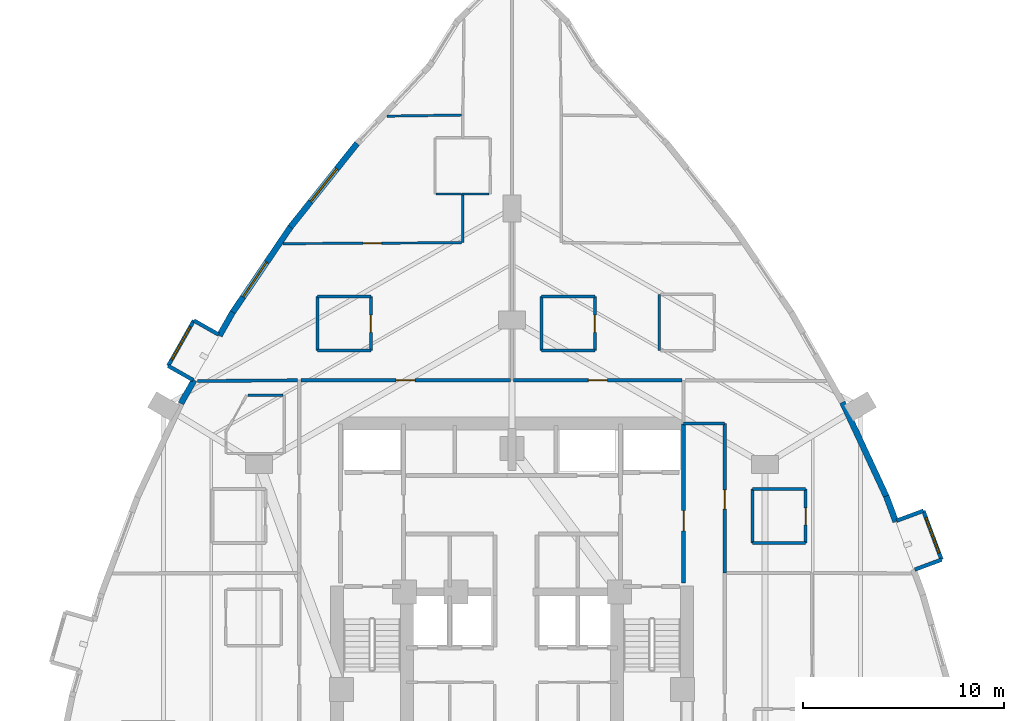
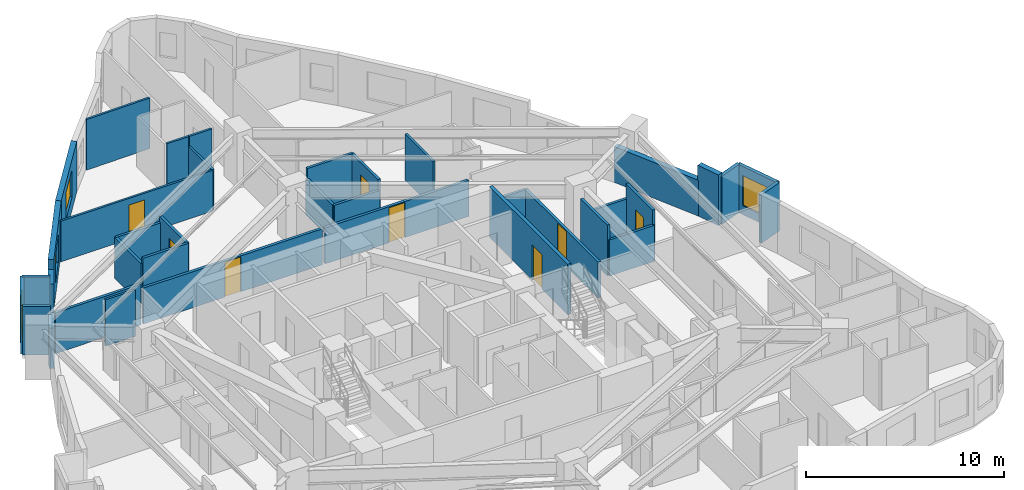
# One storey, part 10 of 13: 37 walls, 8 doors, 4 windows, 12 openings.
"""IFC4 building model written with IfcOpenShell, lengths in metres."""

from ifc_helpers import new_model, si_unit, direction, frame, frame_2d, origin, place, context, subcontext, project, spatial, rectangle, extrude, material, layer, layer_set, type_object, element, fill, save


model = new_model("IFC4")

# Units and contexts
model_context = context("Model", 3, precision=1e-05, world=origin(), true_north=direction((0.0, 1.0)))
body_context = subcontext(model_context, "Body", "Model", "MODEL_VIEW")
ifc_project = project(units=[si_unit("LENGTHUNIT", "METRE"), si_unit("AREAUNIT", "SQUARE_METRE"), si_unit("VOLUMEUNIT", "CUBIC_METRE"), si_unit("PLANEANGLEUNIT", "RADIAN"), si_unit("MASSUNIT", "GRAM", prefix="KILO")], contexts=[model_context])

# Site, building, storey
site_placement = place(None, origin())
site = spatial("IfcSite", under=ifc_project, at=site_placement, CompositionType="ELEMENT")
building_placement = place(site_placement, origin())
building = spatial("IfcBuilding", under=site, at=building_placement, Name="Miruveldt Soraemaru", CompositionType="ELEMENT")
storey_placement = place(building_placement, frame((0.0, 0.0, 70.0)))
storey = spatial("IfcBuildingStorey", under=building, at=storey_placement, Name="L19", CompositionType="ELEMENT", Elevation=70.0)

# Walls
ifc_material_1 = material(Name="White powder-coated aluminium EN AW-6060 T6", Category="aluminium")
ifc_layer_1 = layer(ifc_material_1, 0.18994140625, Name="White powder-coated aluminium EN AW-6060 T6", Category="aluminium")
ifc_layer_set_1 = layer_set([ifc_layer_1], Name="White powder-coated aluminium EN AW-6060 T6")
wall_type_1 = type_object("IfcWallType", Name="WALL-BAY-ALU190", PredefinedType="SOLIDWALL", material=ifc_layer_set_1)
wall_1_placement = place(storey_placement, frame((29.38671875, 56.873779296875, 0.0), z_axis=(0.0, 0.0, 1.0), x_axis=(-0.869840890461, 0.493332367965, 0.0)))
element("IfcWall", 1, at=wall_1_placement, inside=storey, type_object=wall_type_1, Name="L19 Bay Window Side Cheek 1L", PredefinedType="SOLIDWALL", context=body_context, shape_type="SweptSolid", body=[
    extrude(rectangle(XDim=1.42529296875, YDim=0.18994140625, at=frame_2d((0.712646484375, 0.0))), origin(), (0.0, 0.0, 1.0), 2.97509765625),
])
wall_2_placement = place(storey_placement, frame((26.864501953125, 55.315185546875, 0.0), z_axis=(0.0, 0.0, 1.0), x_axis=(0.869872713252, -0.493276253979, 0.0)))
element("IfcWall", 2, at=wall_2_placement, inside=storey, type_object=wall_type_1, Name="L19 Bay Window Side Cheek 1R", PredefinedType="SOLIDWALL", context=body_context, shape_type="SweptSolid", body=[
    extrude(rectangle(XDim=1.4248046875, YDim=0.18994140625, at=frame_2d((0.71240234375, 0.0))), origin(), (0.0, 0.0, 1.0), 2.97509765625),
])

# Wall, opening, window
wall_3_placement = place(storey_placement, frame((28.14697265625, 57.576904296875, 0.0), z_axis=(0.0, 0.0, 1.0), x_axis=(-0.493254211962, -0.869885212187, 0.0)))
wall_3 = element("IfcWall", 3, at=wall_3_placement, inside=storey, type_object=wall_type_1, Name="L19 Bay Window Front Frame 1", PredefinedType="SOLIDWALL", context=body_context, shape_type="SweptSolid", body=[
    extrude(rectangle(XDim=2.60009765625, YDim=0.18994140625, at=frame_2d((1.300048828125, 0.0))), origin(), (0.0, 0.0, 1.0), 2.97509765625),
])
opening_1_placement = place(wall_3_placement, frame((0.35009765625, 0.0, 0.550048828125)))
opening_1 = element("IfcOpeningElement", 4, at=opening_1_placement, cuts=wall_3, Name="Opening WN-6", PredefinedType="OPENING", context=body_context, shape_type="SweptSolid", body=[
    extrude(rectangle(XDim=1.89990234375, YDim=1.85009765625, at=frame_2d((0.949951171875, 0.925048828125))), frame((0.0, 0.10498046875, 0.0), z_axis=(0.0, -1.0, 0.0), x_axis=(1.0, 0.0, 0.0)), (0.0, 0.0, 1.0), 0.2099609375),
])
ifc_material_2 = material(Name="Triple low-e insulated glazing", Category="glass")
window_type_1 = type_object("IfcWindowType", Name="WIN-BAYW-1900x1850", PartitioningType="SINGLE_PANEL", PredefinedType="WINDOW", material=ifc_material_2)
window_1_placement = place(opening_1_placement, origin())
window_1 = element("IfcWindow", 5, at=window_1_placement, inside=storey, type_object=window_type_1, Name="L19 Projecting Bay Window 1", OverallHeight=1.85009765625, OverallWidth=1.89990234375, PartitioningType="SINGLE_PANEL", PredefinedType="WINDOW", context=body_context, shape_type="SweptSolid", body=[
    extrude(rectangle(XDim=1.89990234375, YDim=1.85009765625, at=frame_2d((0.949951171875, 0.925048828125))), frame((0.0, 0.030029296875, 0.0), z_axis=(0.0, -1.0, 0.0), x_axis=(1.0, 0.0, 0.0)), (0.0, 0.0, 1.0), 0.06005859375),
])
fill(opening_1, window_1)

# Walls
for number, where, z_axis, x_axis, name in (
    (6, (64.070556640625, 45.161865234375, 0.0), (0.0, 0.0, 1.0), (0.937129361406, 0.348982177182, 0.0), "L19 Bay Window Side Cheek 6L"),
    (7, (64.49853515625, 48.095703125, 0.0), (0.0, 0.0, 1.0), (-0.937129361406, -0.348982177182, 0.0), "L19 Bay Window Side Cheek 6R"),
):
    element("IfcWall", number, at=place(storey_placement, frame(where, z_axis=z_axis, x_axis=x_axis)), inside=storey, type_object=wall_type_1, Name=name, PredefinedType="SOLIDWALL", context=body_context, shape_type="SweptSolid", body=[
        extrude(rectangle(XDim=1.425048828125, YDim=0.18994140625, at=frame_2d((0.71240234375, 0.0))), origin(), (0.0, 0.0, 1.0), 2.97509765625),
    ])

# Wall, opening, window
wall_4_placement = place(storey_placement, frame((65.406005859375, 45.6591796875, 0.0), z_axis=(0.0, 0.0, 1.0), x_axis=(-0.349023333144, 0.937114034107, 0.0)))
wall_4 = element("IfcWall", 8, at=wall_4_placement, inside=storey, type_object=wall_type_1, Name="L19 Bay Window Front Frame 6", PredefinedType="SOLIDWALL", context=body_context, shape_type="SweptSolid", body=[
    extrude(rectangle(XDim=2.60009765625, YDim=0.18994140625, at=frame_2d((1.300048828125, 0.0))), origin(), (0.0, 0.0, 1.0), 2.97509765625),
])
opening_2_placement = place(wall_4_placement, frame((0.35009765625, 0.0, 0.550048828125)))
opening_2 = element("IfcOpeningElement", 9, at=opening_2_placement, cuts=wall_4, Name="Opening WN-6", PredefinedType="OPENING", context=body_context, shape_type="SweptSolid", body=[
    extrude(rectangle(XDim=1.89990234375, YDim=1.85009765625, at=frame_2d((0.949951171875, 0.925048828125))), frame((0.0, 0.10498046875, 0.0), z_axis=(0.0, -1.0, 0.0), x_axis=(1.0, 0.0, 0.0)), (0.0, 0.0, 1.0), 0.2099609375),
])
window_2_placement = place(opening_2_placement, origin())
window_2 = element("IfcWindow", 10, at=window_2_placement, inside=storey, type_object=window_type_1, Name="L19 Projecting Bay Window 6", OverallHeight=1.85009765625, OverallWidth=1.89990234375, PartitioningType="SINGLE_PANEL", PredefinedType="WINDOW", context=body_context, shape_type="SweptSolid", body=[
    extrude(rectangle(XDim=1.89990234375, YDim=1.85009765625, at=frame_2d((0.949951171875, 0.925048828125))), frame((0.0, 0.030029296875, 0.0), z_axis=(0.0, -1.0, 0.0), x_axis=(1.0, 0.0, 0.0)), (0.0, 0.0, 1.0), 0.06005859375),
])
fill(opening_2, window_2)

ifc_material_3 = material(Name="Precast concrete C45/55 (45 MPa)", Category="concrete")
ifc_layer_2 = layer(ifc_material_3, 0.300048828125, Name="Precast concrete C45/55 (45 MPa)", Category="concrete")
ifc_layer_set_2 = layer_set([ifc_layer_2], Name="Precast concrete C45/55 (45 MPa)")
wall_type_2 = type_object("IfcWallType", Name="WALL-EXT-PC300", PredefinedType="SOLIDWALL", material=ifc_layer_set_2)
wall_5_placement = place(storey_placement, frame((36.279541015625, 66.39794921875, 0.0), z_axis=(0.0, 0.0, 1.0), x_axis=(-0.623588074448, -0.781753102588, 0.0)))
wall_5 = element("IfcWall", 11, at=wall_5_placement, inside=storey, type_object=wall_type_2, Name="L19 Precast Concrete Facade Wall 8", PredefinedType="SOLIDWALL", context=body_context, shape_type="SweptSolid", body=[
    extrude(rectangle(XDim=5.328369140625, YDim=0.300048828125, at=frame_2d((2.6640625, 0.0))), origin(), (0.0, 0.0, 1.0), 3.125),
])
opening_3_placement = place(wall_5_placement, frame((1.614013671875, 0.0, 0.800048828125)))
opening_3 = element("IfcOpeningElement", 12, at=opening_3_placement, cuts=wall_5, Name="Opening WN-1", PredefinedType="OPENING", context=body_context, shape_type="SweptSolid", body=[
    extrude(rectangle(XDim=2.10009765625, YDim=1.699951171875, at=frame_2d((1.050048828125, 0.85009765625))), frame((0.0, 0.16015625, 0.0), z_axis=(0.0, -1.0, 0.0), x_axis=(1.0, 0.0, 0.0)), (0.0, 0.0, 1.0), 0.320068359375),
])
window_type_2 = type_object("IfcWindowType", Name="WIN-PUNCH-2100x1700", PartitioningType="SINGLE_PANEL", PredefinedType="WINDOW", material=ifc_material_2)
window_3_placement = place(opening_3_placement, origin())
window_3 = element("IfcWindow", 13, at=window_3_placement, inside=storey, type_object=window_type_2, Name="L19 Punched Triple-Glazed Window 08.1", OverallHeight=1.699951171875, OverallWidth=2.10009765625, PartitioningType="SINGLE_PANEL", PredefinedType="WINDOW", context=body_context, shape_type="SweptSolid", body=[
    extrude(rectangle(XDim=2.10009765625, YDim=1.699951171875, at=frame_2d((1.050048828125, 0.85009765625))), frame((0.0, 0.030029296875, 0.0), z_axis=(0.0, -1.0, 0.0), x_axis=(1.0, 0.0, 0.0)), (0.0, 0.0, 1.0), 0.06005859375),
])
fill(opening_3, window_3)

wall_6_placement = place(storey_placement, frame((32.998046875, 62.288818359375, 0.0), z_axis=(0.0, 0.0, 1.0), x_axis=(-0.560829682514, -0.827931197148, 0.0)))
wall_6 = element("IfcWall", 14, at=wall_6_placement, inside=storey, type_object=wall_type_2, Name="L19 Precast Concrete Facade Wall 9", PredefinedType="SOLIDWALL", context=body_context, shape_type="SweptSolid", body=[
    extrude(rectangle(XDim=5.262939453125, YDim=0.300048828125, at=frame_2d((2.63134765625, 0.0))), origin(), (0.0, 0.0, 1.0), 3.125),
])
opening_4_placement = place(wall_6_placement, frame((2.178955078125, 0.0, 0.800048828125)))
opening_4 = element("IfcOpeningElement", 15, at=opening_4_placement, cuts=wall_6, Name="Opening WN-1", PredefinedType="OPENING", context=body_context, shape_type="SweptSolid", body=[
    extrude(rectangle(XDim=2.10009765625, YDim=1.699951171875, at=frame_2d((1.050048828125, 0.85009765625))), frame((0.0, 0.16015625, 0.0), z_axis=(0.0, -1.0, 0.0), x_axis=(1.0, 0.0, 0.0)), (0.0, 0.0, 1.0), 0.320068359375),
])
window_4_placement = place(opening_4_placement, origin())
window_4 = element("IfcWindow", 16, at=window_4_placement, inside=storey, type_object=window_type_2, Name="L19 Punched Triple-Glazed Window 09.1", OverallHeight=1.699951171875, OverallWidth=2.10009765625, PartitioningType="SINGLE_PANEL", PredefinedType="WINDOW", context=body_context, shape_type="SweptSolid", body=[
    extrude(rectangle(XDim=2.10009765625, YDim=1.699951171875, at=frame_2d((1.050048828125, 0.85009765625))), frame((0.0, 0.030029296875, 0.0), z_axis=(0.0, -1.0, 0.0), x_axis=(1.0, 0.0, 0.0)), (0.0, 0.0, 1.0), 0.06005859375),
])
fill(opening_4, window_4)

# Walls
for number, where, z_axis, x_axis, name in (
    (17, (30.083251953125, 57.99072265625, 0.0), (0.0, 0.0, 1.0), (-0.493360603659, -0.869824875913, 0.0), "L19 Precast Pier Wall 10A"),
    (18, (28.16650390625, 54.611328125, 0.0), (0.0, 0.0, 1.0), (-0.493360603659, -0.869824875913, 0.0), "L19 Precast Pier Wall 10B"),
):
    element("IfcWall", number, at=place(storey_placement, frame(where, z_axis=z_axis, x_axis=x_axis)), inside=storey, type_object=wall_type_2, Name=name, PredefinedType="SOLIDWALL", context=body_context, shape_type="SweptSolid", body=[
        extrude(rectangle(XDim=1.344970703125, YDim=0.300048828125, at=frame_2d((0.67236328125, 0.0))), origin(), (0.0, 0.0, 1.0), 2.512939453125),
    ])
wall_7_placement = place(storey_placement, frame((63.1220703125, 47.551025390625, 0.0), z_axis=(0.0, 0.0, 1.0), x_axis=(-0.348960814718, 0.937137316401, 0.0)))
element("IfcWall", 19, at=wall_7_placement, inside=storey, type_object=wall_type_2, Name="L19 Precast Pier Wall 37B", PredefinedType="SOLIDWALL", context=body_context, shape_type="SweptSolid", body=[
    extrude(rectangle(XDim=1.361572265625, YDim=0.300048828125, at=frame_2d((0.6806640625, 0.0))), origin(), (0.0, 0.0, 1.0), 3.125),
])
wall_8_placement = place(storey_placement, frame((62.673828125, 48.762451171875, 0.0), z_axis=(0.0, 0.0, 1.0), x_axis=(-0.422302745221, 0.906454847954, 0.0)))
element("IfcWall", 20, at=wall_8_placement, inside=storey, type_object=wall_type_2, Name="L19 Precast Concrete Facade Wall 38", PredefinedType="SOLIDWALL", context=body_context, shape_type="SweptSolid", body=[
    extrude(rectangle(XDim=5.230224609375, YDim=0.300048828125, at=frame_2d((2.615234375, 0.0))), origin(), (0.0, 0.0, 1.0), 2.212890625),
])

# Wall, opening, door
ifc_material_4 = material(Name="Gypsum plasterboard lining", Category="gypsum")
ifc_layer_3 = layer(ifc_material_4, 0.1201171875, Name="Gypsum plasterboard lining", Category="gypsum")
ifc_layer_set_3 = layer_set([ifc_layer_3], Name="Gypsum plasterboard lining")
wall_type_3 = type_object("IfcWallType", Name="WALL-INT-P120", PredefinedType="PARTITIONING", material=ifc_layer_set_3)
wall_9_placement = place(storey_placement, frame((41.489990234375, 61.452880859375, 0.0), z_axis=(0.0, 0.0, 1.0), x_axis=(-0.999986101911, -0.00527218968, 0.0)))
wall_9 = element("IfcWall", 21, at=wall_9_placement, inside=storey, type_object=wall_type_3, Name="L19 Partition Wall 21", PredefinedType="PARTITIONING", context=body_context, shape_type="SweptSolid", body=[
    extrude(rectangle(XDim=8.89111328125, YDim=0.1201171875, at=frame_2d((4.445556640625, 0.0))), origin(), (0.0, 0.0, 1.0), 2.512939453125),
])
opening_5_placement = place(wall_9_placement, frame((3.986083984375, 0.0, 0.0)))
opening_5 = element("IfcOpeningElement", 22, at=opening_5_placement, cuts=wall_9, Name="Opening D3A", PredefinedType="OPENING", context=body_context, shape_type="SweptSolid", body=[
    extrude(rectangle(XDim=0.919921875, YDim=2.10009765625, at=frame_2d((0.4599609375, 1.050048828125))), frame((0.0, 0.070068359375, 0.0), z_axis=(0.0, -1.0, 0.0), x_axis=(1.0, 0.0, 0.0)), (0.0, 0.0, 1.0), 0.14013671875),
])
ifc_material_5 = material(Name="Anodised aluminium EN AW-6063 T6", Category="aluminium")
door_type_1 = type_object("IfcDoorType", Name="DOOR-INT-920", OperationType="NOTDEFINED", PredefinedType="DOOR", material=ifc_material_5)
door_1_placement = place(opening_5_placement, origin())
door_1 = element("IfcDoor", 23, at=door_1_placement, inside=storey, type_object=door_type_1, Name="L19 Unit 1901 BD1 Door", OperationType="SINGLE_SWING_RIGHT", OverallHeight=2.10009765625, OverallWidth=0.919921875, PredefinedType="DOOR", context=body_context, shape_type="SweptSolid", body=[
    extrude(rectangle(XDim=0.919921875, YDim=2.10009765625, at=frame_2d((0.4599609375, 1.050048828125))), frame((0.0, 0.02490234375, 0.0), z_axis=(0.0, -1.0, 0.0), x_axis=(1.0, 0.0, 0.0)), (0.0, 0.0, 1.0), 0.050048828125),
])
fill(opening_5, door_1)

# Walls
wall_10_placement = place(storey_placement, frame((41.489990234375, 67.81591796875, 0.0), z_axis=(0.0, 0.0, 1.0), x_axis=(-0.999882856241, -0.015306005223, 0.0)))
element("IfcWall", 24, at=wall_10_placement, inside=storey, type_object=wall_type_3, Name="L19 Partition Wall 28", PredefinedType="PARTITIONING", context=body_context, shape_type="SweptSolid", body=[
    extrude(rectangle(XDim=3.716552734375, YDim=0.1201171875, at=frame_2d((1.8583984375, 0.0))), origin(), (0.0, 0.0, 1.0), 3.125),
])
wall_11_placement = place(storey_placement, frame((51.330078125, 58.8798828125, 0.0), z_axis=(0.0, 0.0, 1.0), x_axis=(0.0, -1.0, 0.0)))
element("IfcWall", 25, at=wall_11_placement, inside=storey, type_object=wall_type_3, Name="L19 Partition Wall 35", PredefinedType="PARTITIONING", context=body_context, shape_type="SweptSolid", body=[
    extrude(rectangle(XDim=2.7998046875, YDim=0.1201171875, at=frame_2d((1.39990234375, 0.0))), origin(), (0.0, 0.0, 1.0), 2.863037109375),
])
wall_12_placement = place(storey_placement, frame((41.550048828125, 63.8798828125, 0.0), z_axis=(0.0, 0.0, 1.0), x_axis=(0.0, -1.0, 0.0)))
element("IfcWall", 26, at=wall_12_placement, inside=storey, type_object=wall_type_3, Name="L19 Partition Wall 20", PredefinedType="PARTITIONING", context=body_context, shape_type="SweptSolid", body=[
    extrude(rectangle(XDim=2.427001953125, YDim=0.1201171875, at=frame_2d((1.21337890625, 0.0))), origin(), (0.0, 0.0, 1.0), 2.512939453125),
])
wall_13_placement = place(storey_placement, frame((30.841064453125, 53.85009765625, 0.0), z_axis=(0.0, 0.0, 1.0), x_axis=(1.0, 0.0, 0.0)))
element("IfcWall", 27, at=wall_13_placement, inside=storey, type_object=wall_type_3, Name="L19 Partition Wall 49", PredefinedType="PARTITIONING", context=body_context, shape_type="SweptSolid", body=[
    extrude(rectangle(XDim=1.7490234375, YDim=0.1201171875, at=frame_2d((0.87451171875, 0.0))), origin(), (0.0, 0.0, 1.0), 2.863037109375),
])
wall_14_placement = place(storey_placement, frame((41.52001953125, 63.8798828125, 0.0), z_axis=(0.0, 0.0, 1.0), x_axis=(1.0, 0.0, 0.0)))
element("IfcWall", 28, at=wall_14_placement, inside=storey, type_object=wall_type_3, Name="L19 Partition Wall 18", PredefinedType="PARTITIONING", context=body_context, shape_type="SweptSolid", body=[
    extrude(rectangle(XDim=1.33203125, YDim=0.1201171875, at=frame_2d((0.666015625, 0.0))), origin(), (0.0, 0.0, 1.0), 3.125),
])
wall_15_placement = place(storey_placement, frame((40.221923828125, 63.8798828125, 0.0), z_axis=(0.0, 0.0, 1.0), x_axis=(1.0, 0.0, 0.0)))
element("IfcWall", 29, at=wall_15_placement, inside=storey, type_object=wall_type_3, Name="L19 Partition Wall 27", PredefinedType="PARTITIONING", context=body_context, shape_type="SweptSolid", body=[
    extrude(rectangle(XDim=1.26806640625, YDim=0.1201171875, at=frame_2d((0.634033203125, 0.0))), origin(), (0.0, 0.0, 1.0), 3.125),
])

# Wall, opening, door
ifc_layer_4 = layer(ifc_material_4, 0.14990234375, Name="Gypsum plasterboard lining", Category="gypsum")
ifc_layer_set_4 = layer_set([ifc_layer_4], Name="Gypsum plasterboard lining")
wall_type_4 = type_object("IfcWallType", Name="WALL-INT-PLUMB", PredefinedType="PLUMBINGWALL", material=ifc_layer_set_4)
wall_16_placement = place(storey_placement, frame((36.9619140625, 56.080078125, 0.0), z_axis=(0.0, 0.0, 1.0), x_axis=(0.0, 1.0, 0.0)))
wall_16 = element("IfcWall", 30, at=wall_16_placement, inside=storey, type_object=wall_type_4, Name="L19 Partition Wall 12", PredefinedType="PLUMBINGWALL", context=body_context, shape_type="SweptSolid", body=[
    extrude(rectangle(XDim=2.699951171875, YDim=0.14990234375, at=frame_2d((1.35009765625, 0.0))), origin(), (0.0, 0.0, 1.0), 2.863037109375),
])
opening_6_placement = place(wall_16_placement, frame((0.909912109375, 0.0, 0.0)))
opening_6 = element("IfcOpeningElement", 31, at=opening_6_placement, cuts=wall_16, Name="Opening FD3", PredefinedType="OPENING", context=body_context, shape_type="SweptSolid", body=[
    extrude(rectangle(XDim=0.85009765625, YDim=2.10009765625, at=frame_2d((0.425048828125, 1.050048828125))), frame((0.0, 0.0849609375, 0.0), z_axis=(0.0, -1.0, 0.0), x_axis=(1.0, 0.0, 0.0)), (0.0, 0.0, 1.0), 0.169921875),
])
door_type_2 = type_object("IfcDoorType", Name="DOOR-FD3-850", OperationType="NOTDEFINED", PredefinedType="DOOR", material=ifc_material_5)
door_2_placement = place(opening_6_placement, origin())
door_2 = element("IfcDoor", 32, at=door_2_placement, inside=storey, type_object=door_type_2, Name="L19 Unit 1901 BTH Door", OperationType="SINGLE_SWING_RIGHT", OverallHeight=2.10009765625, OverallWidth=0.85009765625, PredefinedType="DOOR", context=body_context, shape_type="SweptSolid", body=[
    extrude(rectangle(XDim=0.85009765625, YDim=2.10009765625, at=frame_2d((0.425048828125, 1.050048828125))), frame((0.0, 0.02490234375, 0.0), z_axis=(0.0, -1.0, 0.0), x_axis=(1.0, 0.0, 0.0)), (0.0, 0.0, 1.0), 0.050048828125),
])
fill(opening_6, door_2)

wall_17_placement = place(storey_placement, frame((48.1298828125, 56.080078125, 0.0), z_axis=(0.0, 0.0, 1.0), x_axis=(0.0, 1.0, 0.0)))
wall_17 = element("IfcWall", 33, at=wall_17_placement, inside=storey, type_object=wall_type_4, Name="L19 Partition Wall 29", PredefinedType="PLUMBINGWALL", context=body_context, shape_type="SweptSolid", body=[
    extrude(rectangle(XDim=2.699951171875, YDim=0.14990234375, at=frame_2d((1.35009765625, 0.0))), origin(), (0.0, 0.0, 1.0), 2.863037109375),
])
opening_7_placement = place(wall_17_placement, frame((0.909912109375, 0.0, 0.0)))
opening_7 = element("IfcOpeningElement", 34, at=opening_7_placement, cuts=wall_17, Name="Opening FD3", PredefinedType="OPENING", context=body_context, shape_type="SweptSolid", body=[
    extrude(rectangle(XDim=0.85009765625, YDim=2.10009765625, at=frame_2d((0.425048828125, 1.050048828125))), frame((0.0, 0.0849609375, 0.0), z_axis=(0.0, -1.0, 0.0), x_axis=(1.0, 0.0, 0.0)), (0.0, 0.0, 1.0), 0.169921875),
])
door_3_placement = place(opening_7_placement, origin())
door_3 = element("IfcDoor", 35, at=door_3_placement, inside=storey, type_object=door_type_2, Name="L19 Unit 1902 BTH Door", OperationType="SINGLE_SWING_LEFT", OverallHeight=2.10009765625, OverallWidth=0.85009765625, PredefinedType="DOOR", context=body_context, shape_type="SweptSolid", body=[
    extrude(rectangle(XDim=0.85009765625, YDim=2.10009765625, at=frame_2d((0.425048828125, 1.050048828125))), frame((0.0, 0.02490234375, 0.0), z_axis=(0.0, -1.0, 0.0), x_axis=(1.0, 0.0, 0.0)), (0.0, 0.0, 1.0), 0.050048828125),
])
fill(opening_7, door_3)

wall_18_placement = place(storey_placement, frame((58.6298828125, 46.47998046875, 0.0), z_axis=(0.0, 0.0, 1.0), x_axis=(0.0, 1.0, 0.0)))
wall_18 = element("IfcWall", 36, at=wall_18_placement, inside=storey, type_object=wall_type_4, Name="L19 Partition Wall 61", PredefinedType="PLUMBINGWALL", context=body_context, shape_type="SweptSolid", body=[
    extrude(rectangle(XDim=2.699951171875, YDim=0.14990234375, at=frame_2d((1.35009765625, 0.0))), origin(), (0.0, 0.0, 1.0), 3.125),
])
opening_8_placement = place(wall_18_placement, frame((0.909912109375, 0.0, 0.0)))
opening_8 = element("IfcOpeningElement", 37, at=opening_8_placement, cuts=wall_18, Name="Opening FD3", PredefinedType="OPENING", context=body_context, shape_type="SweptSolid", body=[
    extrude(rectangle(XDim=0.85009765625, YDim=2.10009765625, at=frame_2d((0.425048828125, 1.050048828125))), frame((0.0, 0.0849609375, 0.0), z_axis=(0.0, -1.0, 0.0), x_axis=(1.0, 0.0, 0.0)), (0.0, 0.0, 1.0), 0.169921875),
])
door_4_placement = place(opening_8_placement, origin())
door_4 = element("IfcDoor", 38, at=door_4_placement, inside=storey, type_object=door_type_2, Name="L19 Unit CL05 BTH Door", OperationType="SINGLE_SWING_RIGHT", OverallHeight=2.10009765625, OverallWidth=0.85009765625, PredefinedType="DOOR", context=body_context, shape_type="SweptSolid", body=[
    extrude(rectangle(XDim=0.85009765625, YDim=2.10009765625, at=frame_2d((0.425048828125, 1.050048828125))), frame((0.0, 0.02490234375, 0.0), z_axis=(0.0, -1.0, 0.0), x_axis=(1.0, 0.0, 0.0)), (0.0, 0.0, 1.0), 0.050048828125),
])
fill(opening_8, door_4)

# Walls
wall_19_placement = place(storey_placement, frame((34.31201171875, 58.780029296875, 0.0), z_axis=(0.0, 0.0, 1.0), x_axis=(0.0, -1.0, 0.0)))
element("IfcWall", 39, at=wall_19_placement, inside=storey, type_object=wall_type_4, Name="L19 Partition Wall 14", PredefinedType="PLUMBINGWALL", context=body_context, shape_type="SweptSolid", body=[
    extrude(rectangle(XDim=2.699951171875, YDim=0.14990234375, at=frame_2d((1.35009765625, 0.0))), origin(), (0.0, 0.0, 1.0), 2.512939453125),
])
wall_20_placement = place(storey_placement, frame((45.47998046875, 58.780029296875, 0.0), z_axis=(0.0, 0.0, 1.0), x_axis=(0.0, -1.0, 0.0)))
element("IfcWall", 40, at=wall_20_placement, inside=storey, type_object=wall_type_4, Name="L19 Partition Wall 31", PredefinedType="PLUMBINGWALL", context=body_context, shape_type="SweptSolid", body=[
    extrude(rectangle(XDim=2.699951171875, YDim=0.14990234375, at=frame_2d((1.35009765625, 0.0))), origin(), (0.0, 0.0, 1.0), 2.219970703125),
])
wall_21_placement = place(storey_placement, frame((55.97998046875, 49.179931640625, 0.0), z_axis=(0.0, 0.0, 1.0), x_axis=(0.0, -1.0, 0.0)))
element("IfcWall", 41, at=wall_21_placement, inside=storey, type_object=wall_type_4, Name="L19 Partition Wall 63", PredefinedType="PLUMBINGWALL", context=body_context, shape_type="SweptSolid", body=[
    extrude(rectangle(XDim=2.699951171875, YDim=0.14990234375, at=frame_2d((1.35009765625, 0.0))), origin(), (0.0, 0.0, 1.0), 3.125),
])
wall_22_placement = place(storey_placement, frame((36.9619140625, 58.780029296875, 0.0), z_axis=(0.0, 0.0, 1.0), x_axis=(-1.0, 0.0, 0.0)))
element("IfcWall", 42, at=wall_22_placement, inside=storey, type_object=wall_type_4, Name="L19 Partition Wall 13", PredefinedType="PLUMBINGWALL", context=body_context, shape_type="SweptSolid", body=[
    extrude(rectangle(XDim=2.64990234375, YDim=0.14990234375, at=frame_2d((1.324951171875, 0.0))), origin(), (0.0, 0.0, 1.0), 2.512939453125),
])
for number, where, z_axis, x_axis, name in (
    (43, (34.31201171875, 56.080078125, 0.0), (0.0, 0.0, 1.0), (1.0, 0.0, 0.0), "L19 Partition Wall 15"),
    (44, (48.1298828125, 58.780029296875, 0.0), (0.0, 0.0, 1.0), (-1.0, 0.0, 0.0), "L19 Partition Wall 30"),
):
    element("IfcWall", number, at=place(storey_placement, frame(where, z_axis=z_axis, x_axis=x_axis)), inside=storey, type_object=wall_type_4, Name=name, PredefinedType="PLUMBINGWALL", context=body_context, shape_type="SweptSolid", body=[
        extrude(rectangle(XDim=2.64990234375, YDim=0.14990234375, at=frame_2d((1.324951171875, 0.0))), origin(), (0.0, 0.0, 1.0), 2.863037109375),
    ])
for number, where, z_axis, x_axis, name in (
    (45, (45.47998046875, 56.080078125, 0.0), (0.0, 0.0, 1.0), (1.0, 0.0, 0.0), "L19 Partition Wall 32"),
    (46, (58.6298828125, 49.179931640625, 0.0), (0.0, 0.0, 1.0), (-1.0, 0.0, 0.0), "L19 Partition Wall 62"),
    (47, (55.97998046875, 46.47998046875, 0.0), (0.0, 0.0, 1.0), (1.0, 0.0, 0.0), "L19 Partition Wall 64"),
):
    element("IfcWall", number, at=place(storey_placement, frame(where, z_axis=z_axis, x_axis=x_axis)), inside=storey, type_object=wall_type_4, Name=name, PredefinedType="PLUMBINGWALL", context=body_context, shape_type="SweptSolid", body=[
        extrude(rectangle(XDim=2.64990234375, YDim=0.14990234375, at=frame_2d((1.324951171875, 0.0))), origin(), (0.0, 0.0, 1.0), 2.219970703125),
    ])

# Wall, opening, door
ifc_material_6 = material(Name="Concrete C40/50 (40 MPa)", Category="concrete")
ifc_layer_5 = layer(ifc_material_6, 0.159912109375, Name="Concrete C40/50 (40 MPa)", Category="concrete")
ifc_layer_set_5 = layer_set([ifc_layer_5], Name="Concrete C40/50 (40 MPa)")
wall_type_5 = type_object("IfcWallType", Name="WALL-INT-RC160", PredefinedType="SOLIDWALL", material=ifc_layer_set_5)
wall_23_placement = place(storey_placement, frame((43.919921875, 54.60009765625, 0.0), z_axis=(0.0, 0.0, 1.0), x_axis=(-1.0, 0.0, 0.0)))
wall_23 = element("IfcWall", 48, at=wall_23_placement, inside=storey, type_object=wall_type_5, Name="L19 Partition Wall 1", PredefinedType="SOLIDWALL", context=body_context, shape_type="SweptSolid", body=[
    extrude(rectangle(XDim=10.43994140625, YDim=0.159912109375, at=frame_2d((5.219970703125, 0.0))), origin(), (0.0, 0.0, 1.0), 2.219970703125),
])
opening_9_placement = place(wall_23_placement, frame((4.7451171875, 0.0, 0.0)))
opening_9 = element("IfcOpeningElement", 49, at=opening_9_placement, cuts=wall_23, Name="Opening FD2", PredefinedType="OPENING", context=body_context, shape_type="SweptSolid", body=[
    extrude(rectangle(XDim=0.949951171875, YDim=2.14990234375, at=frame_2d((0.47509765625, 1.074951171875))), frame((0.0, 0.08984375, 0.0), z_axis=(0.0, -1.0, 0.0), x_axis=(1.0, 0.0, 0.0)), (0.0, 0.0, 1.0), 0.179931640625),
])
door_type_3 = type_object("IfcDoorType", Name="DOOR-FD2-950", OperationType="NOTDEFINED", PredefinedType="DOOR", material=ifc_material_5)
door_5_placement = place(opening_9_placement, origin())
door_5 = element("IfcDoor", 50, at=door_5_placement, inside=storey, type_object=door_type_3, Name="L19 Unit 1901 Entrance Fire Door", OperationType="SINGLE_SWING_LEFT", OverallHeight=2.14990234375, OverallWidth=0.949951171875, PredefinedType="DOOR", context=body_context, shape_type="SweptSolid", body=[
    extrude(rectangle(XDim=0.949951171875, YDim=2.14990234375, at=frame_2d((0.47509765625, 1.074951171875))), frame((0.0, 0.02490234375, 0.0), z_axis=(0.0, -1.0, 0.0), x_axis=(1.0, 0.0, 0.0)), (0.0, 0.0, 1.0), 0.050048828125),
])
fill(opening_9, door_5)

wall_24_placement = place(storey_placement, frame((52.469970703125, 54.60009765625, 0.0), z_axis=(0.0, 0.0, 1.0), x_axis=(-1.0, 0.0, 0.0)))
wall_24 = element("IfcWall", 51, at=wall_24_placement, inside=storey, type_object=wall_type_5, Name="L19 Partition Wall 2", PredefinedType="SOLIDWALL", context=body_context, shape_type="SweptSolid", body=[
    extrude(rectangle(XDim=8.389892578125, YDim=0.159912109375, at=frame_2d((4.19482421875, 0.0))), origin(), (0.0, 0.0, 1.0), 2.219970703125),
])
opening_10_placement = place(wall_24_placement, frame((3.719970703125, 0.0, 0.0)))
opening_10 = element("IfcOpeningElement", 52, at=opening_10_placement, cuts=wall_24, Name="Opening FD2", PredefinedType="OPENING", context=body_context, shape_type="SweptSolid", body=[
    extrude(rectangle(XDim=0.949951171875, YDim=2.14990234375, at=frame_2d((0.47509765625, 1.074951171875))), frame((0.0, 0.08984375, 0.0), z_axis=(0.0, -1.0, 0.0), x_axis=(1.0, 0.0, 0.0)), (0.0, 0.0, 1.0), 0.179931640625),
])
door_6_placement = place(opening_10_placement, origin())
door_6 = element("IfcDoor", 53, at=door_6_placement, inside=storey, type_object=door_type_3, Name="L19 Unit 1902 Entrance Fire Door", OperationType="SINGLE_SWING_RIGHT", OverallHeight=2.14990234375, OverallWidth=0.949951171875, PredefinedType="DOOR", context=body_context, shape_type="SweptSolid", body=[
    extrude(rectangle(XDim=0.949951171875, YDim=2.14990234375, at=frame_2d((0.47509765625, 1.074951171875))), frame((0.0, 0.02490234375, 0.0), z_axis=(0.0, -1.0, 0.0), x_axis=(1.0, 0.0, 0.0)), (0.0, 0.0, 1.0), 0.050048828125),
])
fill(opening_10, door_6)

wall_25_placement = place(storey_placement, frame((54.60009765625, 45.0029296875, 0.0), z_axis=(0.0, 0.0, 1.0), x_axis=(0.0, 1.0, 0.0)))
wall_25 = element("IfcWall", 54, at=wall_25_placement, inside=storey, type_object=wall_type_5, Name="L19 Partition Wall 5", PredefinedType="SOLIDWALL", context=body_context, shape_type="SweptSolid", body=[
    extrude(rectangle(XDim=7.447021484375, YDim=0.159912109375, at=frame_2d((3.7236328125, 0.0))), origin(), (0.0, 0.0, 1.0), 2.219970703125),
])
opening_11_placement = place(wall_25_placement, frame((3.178955078125, 0.0, 0.0)))
opening_11 = element("IfcOpeningElement", 55, at=opening_11_placement, cuts=wall_25, Name="Opening FD2", PredefinedType="OPENING", context=body_context, shape_type="SweptSolid", body=[
    extrude(rectangle(XDim=0.949951171875, YDim=2.14990234375, at=frame_2d((0.47509765625, 1.074951171875))), frame((0.0, 0.08984375, 0.0), z_axis=(0.0, -1.0, 0.0), x_axis=(1.0, 0.0, 0.0)), (0.0, 0.0, 1.0), 0.179931640625),
])
door_7_placement = place(opening_11_placement, origin())
door_7 = element("IfcDoor", 56, at=door_7_placement, inside=storey, type_object=door_type_3, Name="L19 Unit CL05 Entrance Fire Door", OperationType="SINGLE_SWING_LEFT", OverallHeight=2.14990234375, OverallWidth=0.949951171875, PredefinedType="DOOR", context=body_context, shape_type="SweptSolid", body=[
    extrude(rectangle(XDim=0.949951171875, YDim=2.14990234375, at=frame_2d((0.47509765625, 1.074951171875))), frame((0.0, 0.02490234375, 0.0), z_axis=(0.0, -1.0, 0.0), x_axis=(1.0, 0.0, 0.0)), (0.0, 0.0, 1.0), 0.050048828125),
])
fill(opening_11, door_7)

# Walls
wall_26_placement = place(storey_placement, frame((28.325927734375, 54.55810546875, 0.0), z_axis=(0.0, 0.0, 1.0), x_axis=(0.99996627708, 0.008212472358, 0.0)))
element("IfcWall", 57, at=wall_26_placement, inside=storey, type_object=wall_type_5, Name="L19 Partition Wall 24", PredefinedType="SOLIDWALL", context=body_context, shape_type="SweptSolid", body=[
    extrude(rectangle(XDim=4.994384765625, YDim=0.159912109375, at=frame_2d((2.4970703125, 0.0))), origin(), (0.0, 0.0, 1.0), 2.512939453125),
])
wall_27_placement = place(storey_placement, frame((54.60009765625, 52.449951171875, 0.0), z_axis=(0.0, 0.0, 1.0), x_axis=(-1.0, 0.0, 0.0)))
element("IfcWall", 58, at=wall_27_placement, inside=storey, type_object=wall_type_5, Name="L19 Partition Wall 6", PredefinedType="SOLIDWALL", context=body_context, shape_type="SweptSolid", body=[
    extrude(rectangle(XDim=2.050048828125, YDim=0.159912109375, at=frame_2d((1.02490234375, 0.0))), origin(), (0.0, 0.0, 1.0), 2.219970703125),
])

# Wall, opening, door
ifc_layer_6 = layer(ifc_material_6, 0.199951171875, Name="Concrete C40/50 (40 MPa)", Category="concrete")
ifc_layer_set_6 = layer_set([ifc_layer_6], Name="Concrete C40/50 (40 MPa)")
wall_type_6 = type_object("IfcWallType", Name="WALL-INT-RC200", PredefinedType="SOLIDWALL", material=ifc_layer_set_6)
wall_28_placement = place(storey_placement, frame((52.550048828125, 44.5, 0.0), z_axis=(0.0, 0.0, 1.0), x_axis=(0.0, 1.0, 0.0)))
wall_28 = element("IfcWall", 59, at=wall_28_placement, inside=storey, type_object=wall_type_6, Name="L19 Core Compartment Wall FFE-OUT", PredefinedType="SOLIDWALL", context=body_context, shape_type="SweptSolid", body=[
    extrude(rectangle(XDim=7.919921875, YDim=0.199951171875, at=frame_2d((3.9599609375, 0.0))), origin(), (0.0, 0.0, 1.0), 3.125),
])
opening_12_placement = place(wall_28_placement, frame((2.60009765625, 0.0, 0.0)))
opening_12 = element("IfcOpeningElement", 60, at=opening_12_placement, cuts=wall_28, Name="Opening FD1", PredefinedType="OPENING", context=body_context, shape_type="SweptSolid", body=[
    extrude(rectangle(XDim=1.0, YDim=2.14990234375, at=frame_2d((0.5, 1.074951171875))), frame((0.0, 0.10986328125, 0.0), z_axis=(0.0, -1.0, 0.0), x_axis=(1.0, 0.0, 0.0)), (0.0, 0.0, 1.0), 0.219970703125),
])
door_type_4 = type_object("IfcDoorType", Name="DOOR-FD1-1000", OperationType="NOTDEFINED", PredefinedType="DOOR", material=ifc_material_5)
door_8_placement = place(opening_12_placement, frame((1.0, 0.0, 0.0), z_axis=(0.0, 0.0, 1.0), x_axis=(-1.0, 0.0, 0.0)))
door_8 = element("IfcDoor", 61, at=door_8_placement, inside=storey, type_object=door_type_4, Name="L19 East Firefighting Lobby Exit Door", OperationType="SINGLE_SWING_RIGHT", OverallHeight=2.14990234375, OverallWidth=1.0, PredefinedType="DOOR", context=body_context, shape_type="SweptSolid", body=[
    extrude(rectangle(XDim=1.0, YDim=2.14990234375, at=frame_2d((0.5, 1.074951171875))), frame((0.0, 0.02490234375, 0.0), z_axis=(0.0, -1.0, 0.0), x_axis=(1.0, 0.0, 0.0)), (0.0, 0.0, 1.0), 0.050048828125),
])
fill(opening_12, door_8)

save(model, "model.ifc")
